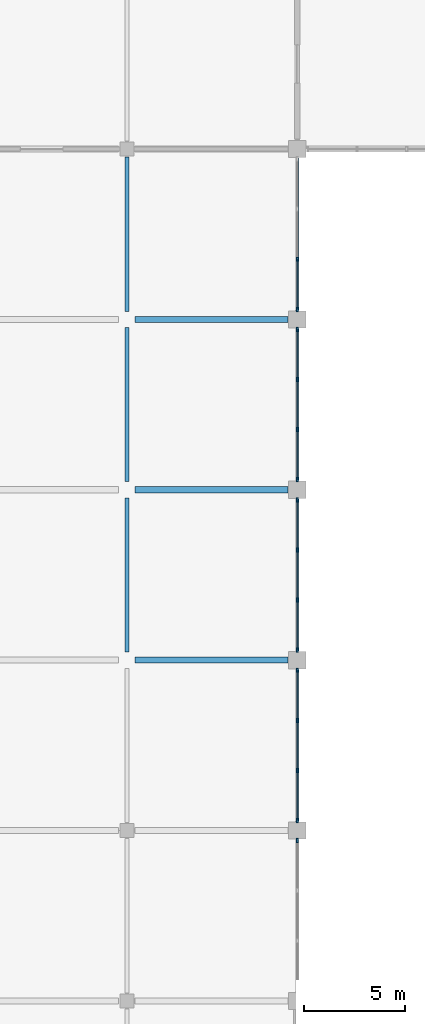
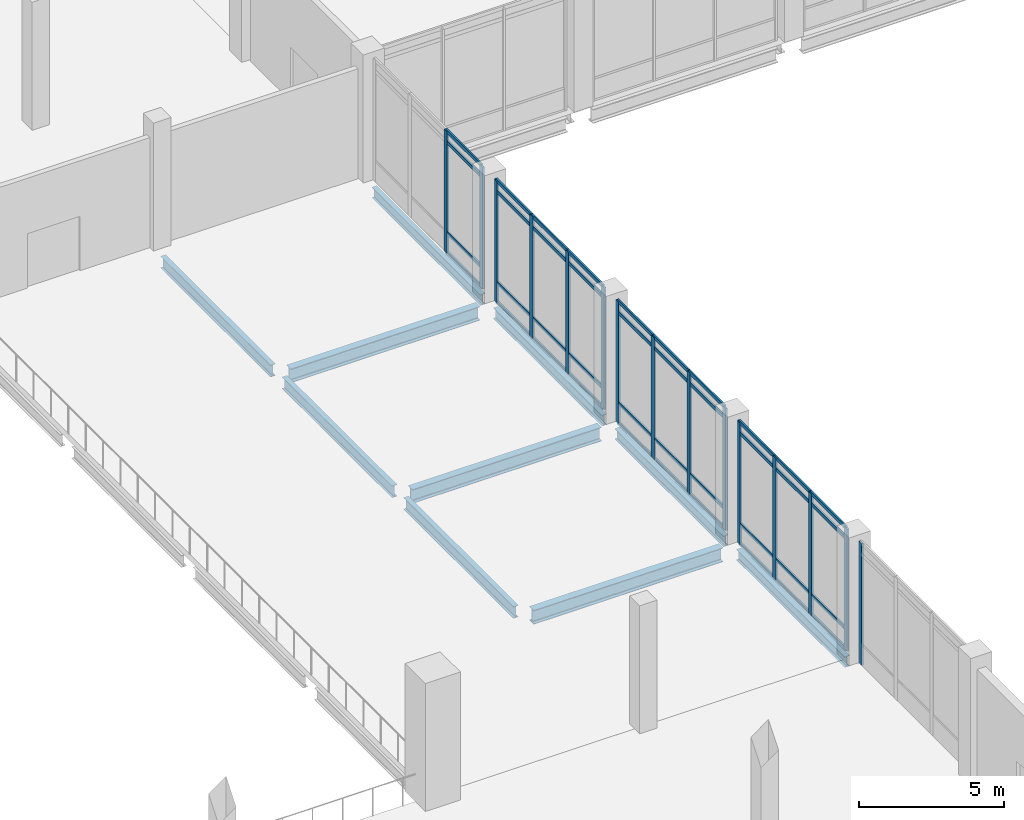
# One storey, part 14 of 72: 55 members, 10 beams, 5 elements without a shape of their own.
"""IFC4 building model written with IfcOpenShell, lengths in metres."""

from ifc_helpers import new_model, si_unit, direction, frame, origin, origin_2d, place, context, subcontext, project, spatial, rectangle, i_section, extrude, material, layer, layer_set, material_profile, profile_set, type_object, element, aggregate, save


model = new_model("IFC4")

# Units and contexts
model_context = context("Model", 3, precision=1e-05, world=origin(), true_north=direction((0.0, 1.0)))
body_context = subcontext(model_context, "Body", "Model", "MODEL_VIEW")
ifc_project = project(units=[si_unit("LENGTHUNIT", "METRE"), si_unit("AREAUNIT", "SQUARE_METRE"), si_unit("VOLUMEUNIT", "CUBIC_METRE"), si_unit("PLANEANGLEUNIT", "RADIAN"), si_unit("MASSUNIT", "GRAM", prefix="KILO")], contexts=[model_context])

# Site, building, storey
site_placement = place(None, origin())
site = spatial("IfcSite", under=ifc_project, at=site_placement, CompositionType="ELEMENT")
building_placement = place(site_placement, origin())
building = spatial("IfcBuilding", under=site, at=building_placement, Name="Qawsi Khor Wholesale Market", CompositionType="ELEMENT")
storey_placement = place(building_placement, frame((0.0, 0.0, 6.0)))
storey = spatial("IfcBuildingStorey", under=building, at=storey_placement, Name="L01", CompositionType="ELEMENT", Elevation=6.0)

# Curtain wall, member
ifc_material_1 = material(Name="Aluminium Anodised Bronze", Category="aluminium")
ifc_layer = layer(ifc_material_1, 0.199951171875, Name="Aluminium Anodised Bronze")
ifc_layer_set = layer_set([ifc_layer], Name="Aluminium Anodised Bronze")
curtain_wall_type = type_object("IfcCurtainWallType", Name="Trading Hall North-Light Curtain Wall CW-03", PredefinedType="NOTDEFINED", material=ifc_layer_set)
curtain_wall_1_placement = place(storey_placement, origin())
curtain_wall_1 = element("IfcCurtainWall", 1, at=curtain_wall_1_placement, inside=storey, type_object=curtain_wall_type, Name="Curtain wall CW-CW-03-L01-073", PredefinedType="NOTDEFINED")
ifc_material_profile_1 = material_profile(ifc_material_1, rectangle(XDim=0.074951171875, YDim=0.219970703125, at=origin_2d()), Name="ALU MULLION 75x220")
ifc_profile_set_1 = profile_set([ifc_material_profile_1], Name="Aluminium Anodised Bronze")
member_type_1 = type_object("IfcMemberType", Name="Curtain Wall Mullion CW-03 ALU MULLION 75x220", PredefinedType="MULLION", material=ifc_profile_set_1)
member_1_placement = place(storey_placement, frame((75.60009765625, 58.302490234375, -0.02001953125), z_axis=(0.0, 0.0, 1.0), x_axis=(1.0, 0.0, 0.0)))
member_1 = element("IfcMember", 2, at=member_1_placement, type_object=member_type_1, Name="Mullion CW-CW-03-L01-073-M03", PredefinedType="MULLION", context=body_context, shape_type="SweptSolid", body=[
    extrude(rectangle(XDim=0.074951171875, YDim=0.219970703125, at=origin_2d()), origin(), (0.0, 0.0, 1.0), 5.14990234375),
])
aggregate(curtain_wall_1, [member_1])

# Curtain wall, members
curtain_wall_2_placement = place(storey_placement, origin())
curtain_wall_2 = element("IfcCurtainWall", 3, at=curtain_wall_2_placement, inside=storey, type_object=curtain_wall_type, Name="Curtain wall CW-CW-03-L01-078", PredefinedType="NOTDEFINED")
member_2_placement = place(storey_placement, frame((75.60009765625, 59.297607421875, -0.02001953125), z_axis=(0.0, 0.0, 1.0), x_axis=(1.0, 0.0, 0.0)))
member_2 = element("IfcMember", 4, at=member_2_placement, type_object=member_type_1, Name="Mullion CW-CW-03-L01-078-M00", PredefinedType="MULLION", context=body_context, shape_type="SweptSolid", body=[
    extrude(rectangle(XDim=0.074951171875, YDim=0.219970703125, at=origin_2d()), origin(), (0.0, 0.0, 1.0), 5.14990234375),
])
member_3_placement = place(storey_placement, frame((75.60009765625, 61.765869140625, -0.02001953125), z_axis=(0.0, 0.0, 1.0), x_axis=(1.0, 0.0, 0.0)))
member_3 = element("IfcMember", 5, at=member_3_placement, type_object=member_type_1, Name="Mullion CW-CW-03-L01-078-M01", PredefinedType="MULLION", context=body_context, shape_type="SweptSolid", body=[
    extrude(rectangle(XDim=0.074951171875, YDim=0.219970703125, at=origin_2d()), origin(), (0.0, 0.0, 1.0), 5.14990234375),
])
member_4_placement = place(storey_placement, frame((75.60009765625, 64.234130859375, -0.02001953125), z_axis=(0.0, 0.0, 1.0), x_axis=(1.0, 0.0, 0.0)))
member_4 = element("IfcMember", 6, at=member_4_placement, type_object=member_type_1, Name="Mullion CW-CW-03-L01-078-M02", PredefinedType="MULLION", context=body_context, shape_type="SweptSolid", body=[
    extrude(rectangle(XDim=0.074951171875, YDim=0.219970703125, at=origin_2d()), origin(), (0.0, 0.0, 1.0), 5.14990234375),
])
member_5_placement = place(storey_placement, frame((75.60009765625, 66.702392578125, -0.02001953125), z_axis=(0.0, 0.0, 1.0), x_axis=(1.0, 0.0, 0.0)))
member_5 = element("IfcMember", 7, at=member_5_placement, type_object=member_type_1, Name="Mullion CW-CW-03-L01-078-M03", PredefinedType="MULLION", context=body_context, shape_type="SweptSolid", body=[
    extrude(rectangle(XDim=0.074951171875, YDim=0.219970703125, at=origin_2d()), origin(), (0.0, 0.0, 1.0), 5.14990234375),
])

curtain_wall_3_placement = place(storey_placement, origin())
curtain_wall_3 = element("IfcCurtainWall", 8, at=curtain_wall_3_placement, inside=storey, type_object=curtain_wall_type, Name="Curtain wall CW-CW-03-L01-083", PredefinedType="NOTDEFINED")
member_6_placement = place(storey_placement, frame((75.60009765625, 67.697509765625, -0.02001953125), z_axis=(0.0, 0.0, 1.0), x_axis=(1.0, 0.0, 0.0)))
member_6 = element("IfcMember", 9, at=member_6_placement, type_object=member_type_1, Name="Mullion CW-CW-03-L01-083-M00", PredefinedType="MULLION", context=body_context, shape_type="SweptSolid", body=[
    extrude(rectangle(XDim=0.074951171875, YDim=0.219970703125, at=origin_2d()), origin(), (0.0, 0.0, 1.0), 5.14990234375),
])
member_7_placement = place(storey_placement, frame((75.60009765625, 70.165771484375, -0.02001953125), z_axis=(0.0, 0.0, 1.0), x_axis=(1.0, 0.0, 0.0)))
member_7 = element("IfcMember", 10, at=member_7_placement, type_object=member_type_1, Name="Mullion CW-CW-03-L01-083-M01", PredefinedType="MULLION", context=body_context, shape_type="SweptSolid", body=[
    extrude(rectangle(XDim=0.074951171875, YDim=0.219970703125, at=origin_2d()), origin(), (0.0, 0.0, 1.0), 5.14990234375),
])
member_8_placement = place(storey_placement, frame((75.60009765625, 72.63427734375, -0.02001953125), z_axis=(0.0, 0.0, 1.0), x_axis=(1.0, 0.0, 0.0)))
member_8 = element("IfcMember", 11, at=member_8_placement, type_object=member_type_1, Name="Mullion CW-CW-03-L01-083-M02", PredefinedType="MULLION", context=body_context, shape_type="SweptSolid", body=[
    extrude(rectangle(XDim=0.074951171875, YDim=0.219970703125, at=origin_2d()), origin(), (0.0, 0.0, 1.0), 5.14990234375),
])
member_9_placement = place(storey_placement, frame((75.60009765625, 75.1025390625, -0.02001953125), z_axis=(0.0, 0.0, 1.0), x_axis=(1.0, 0.0, 0.0)))
member_9 = element("IfcMember", 12, at=member_9_placement, type_object=member_type_1, Name="Mullion CW-CW-03-L01-083-M03", PredefinedType="MULLION", context=body_context, shape_type="SweptSolid", body=[
    extrude(rectangle(XDim=0.074951171875, YDim=0.219970703125, at=origin_2d()), origin(), (0.0, 0.0, 1.0), 5.14990234375),
])

curtain_wall_4_placement = place(storey_placement, origin())
curtain_wall_4 = element("IfcCurtainWall", 13, at=curtain_wall_4_placement, inside=storey, type_object=curtain_wall_type, Name="Curtain wall CW-CW-03-L01-088", PredefinedType="NOTDEFINED")
member_10_placement = place(storey_placement, frame((75.60009765625, 76.097412109375, -0.02001953125), z_axis=(0.0, 0.0, 1.0), x_axis=(1.0, 0.0, 0.0)))
member_10 = element("IfcMember", 14, at=member_10_placement, type_object=member_type_1, Name="Mullion CW-CW-03-L01-088-M00", PredefinedType="MULLION", context=body_context, shape_type="SweptSolid", body=[
    extrude(rectangle(XDim=0.074951171875, YDim=0.219970703125, at=origin_2d()), origin(), (0.0, 0.0, 1.0), 5.14990234375),
])
member_11_placement = place(storey_placement, frame((75.60009765625, 78.56591796875, -0.02001953125), z_axis=(0.0, 0.0, 1.0), x_axis=(1.0, 0.0, 0.0)))
member_11 = element("IfcMember", 15, at=member_11_placement, type_object=member_type_1, Name="Mullion CW-CW-03-L01-088-M01", PredefinedType="MULLION", context=body_context, shape_type="SweptSolid", body=[
    extrude(rectangle(XDim=0.074951171875, YDim=0.219970703125, at=origin_2d()), origin(), (0.0, 0.0, 1.0), 5.14990234375),
])
member_12_placement = place(storey_placement, frame((75.60009765625, 81.0341796875, -0.02001953125), z_axis=(0.0, 0.0, 1.0), x_axis=(1.0, 0.0, 0.0)))
member_12 = element("IfcMember", 16, at=member_12_placement, type_object=member_type_1, Name="Mullion CW-CW-03-L01-088-M02", PredefinedType="MULLION", context=body_context, shape_type="SweptSolid", body=[
    extrude(rectangle(XDim=0.074951171875, YDim=0.219970703125, at=origin_2d()), origin(), (0.0, 0.0, 1.0), 5.14990234375),
])
member_13_placement = place(storey_placement, frame((75.60009765625, 83.50244140625, -0.02001953125), z_axis=(0.0, 0.0, 1.0), x_axis=(1.0, 0.0, 0.0)))
member_13 = element("IfcMember", 17, at=member_13_placement, type_object=member_type_1, Name="Mullion CW-CW-03-L01-088-M03", PredefinedType="MULLION", context=body_context, shape_type="SweptSolid", body=[
    extrude(rectangle(XDim=0.074951171875, YDim=0.219970703125, at=origin_2d()), origin(), (0.0, 0.0, 1.0), 5.14990234375),
])

curtain_wall_5_placement = place(storey_placement, origin())
curtain_wall_5 = element("IfcCurtainWall", 18, at=curtain_wall_5_placement, inside=storey, type_object=curtain_wall_type, Name="Curtain wall CW-CW-03-L01-093", PredefinedType="NOTDEFINED")
member_14_placement = place(storey_placement, frame((75.60009765625, 84.49755859375, -0.02001953125), z_axis=(0.0, 0.0, 1.0), x_axis=(1.0, 0.0, 0.0)))
member_14 = element("IfcMember", 19, at=member_14_placement, type_object=member_type_1, Name="Mullion CW-CW-03-L01-093-M00", PredefinedType="MULLION", context=body_context, shape_type="SweptSolid", body=[
    extrude(rectangle(XDim=0.074951171875, YDim=0.219970703125, at=origin_2d()), origin(), (0.0, 0.0, 1.0), 5.14990234375),
])
member_15_placement = place(storey_placement, frame((75.60009765625, 86.9658203125, -0.02001953125), z_axis=(0.0, 0.0, 1.0), x_axis=(1.0, 0.0, 0.0)))
member_15 = element("IfcMember", 20, at=member_15_placement, type_object=member_type_1, Name="Mullion CW-CW-03-L01-093-M01", PredefinedType="MULLION", context=body_context, shape_type="SweptSolid", body=[
    extrude(rectangle(XDim=0.074951171875, YDim=0.219970703125, at=origin_2d()), origin(), (0.0, 0.0, 1.0), 5.14990234375),
])

# Member
ifc_material_profile_2 = material_profile(ifc_material_1, rectangle(XDim=0.070068359375, YDim=0.14990234375, at=origin_2d()), Name="ALU TRANSOM 70x150")
ifc_profile_set_2 = profile_set([ifc_material_profile_2], Name="Aluminium Anodised Bronze")
member_type_2 = type_object("IfcMemberType", Name="Curtain Wall Transom CW-03 ALU TRANSOM 70x150", PredefinedType="USERDEFINED", material=ifc_profile_set_2)
member_16_placement = place(storey_placement, frame((75.60009765625, 59.297607421875, 0.0), z_axis=(0.0, 1.0, 0.0), x_axis=(-1.0, 0.0, 0.0)))
member_16 = element("IfcMember", 21, at=member_16_placement, type_object=member_type_2, Name="Transom CW-CW-03-L01-078-T0_00", ObjectType="TRANSOM", PredefinedType="USERDEFINED", context=body_context, shape_type="SweptSolid", body=[
    extrude(rectangle(XDim=0.070068359375, YDim=0.14990234375, at=origin_2d()), origin(), (0.0, 0.0, 1.0), 2.46826171875),
])

member_17_placement = place(storey_placement, frame((75.60009765625, 61.765869140625, 0.0), z_axis=(0.0, 1.0, 0.0), x_axis=(-1.0, 0.0, 0.0)))
member_17 = element("IfcMember", 22, at=member_17_placement, type_object=member_type_2, Name="Transom CW-CW-03-L01-078-T0_01", ObjectType="TRANSOM", PredefinedType="USERDEFINED", context=body_context, shape_type="SweptSolid", body=[
    extrude(rectangle(XDim=0.070068359375, YDim=0.14990234375, at=origin_2d()), origin(), (0.0, 0.0, 1.0), 2.46826171875),
])

member_18_placement = place(storey_placement, frame((75.60009765625, 64.234130859375, 0.0), z_axis=(0.0, 1.0, 0.0), x_axis=(-1.0, 0.0, 0.0)))
member_18 = element("IfcMember", 23, at=member_18_placement, type_object=member_type_2, Name="Transom CW-CW-03-L01-078-T0_02", ObjectType="TRANSOM", PredefinedType="USERDEFINED", context=body_context, shape_type="SweptSolid", body=[
    extrude(rectangle(XDim=0.070068359375, YDim=0.14990234375, at=origin_2d()), origin(), (0.0, 0.0, 1.0), 2.46826171875),
])

member_19_placement = place(storey_placement, frame((75.60009765625, 59.297607421875, 0.85009765625), z_axis=(0.0, 1.0, 0.0), x_axis=(-1.0, 0.0, 0.0)))
member_19 = element("IfcMember", 24, at=member_19_placement, type_object=member_type_2, Name="Transom CW-CW-03-L01-078-T1_00", ObjectType="TRANSOM", PredefinedType="USERDEFINED", context=body_context, shape_type="SweptSolid", body=[
    extrude(rectangle(XDim=0.070068359375, YDim=0.14990234375, at=origin_2d()), origin(), (0.0, 0.0, 1.0), 2.46826171875),
])

member_20_placement = place(storey_placement, frame((75.60009765625, 61.765869140625, 0.85009765625), z_axis=(0.0, 1.0, 0.0), x_axis=(-1.0, 0.0, 0.0)))
member_20 = element("IfcMember", 25, at=member_20_placement, type_object=member_type_2, Name="Transom CW-CW-03-L01-078-T1_01", ObjectType="TRANSOM", PredefinedType="USERDEFINED", context=body_context, shape_type="SweptSolid", body=[
    extrude(rectangle(XDim=0.070068359375, YDim=0.14990234375, at=origin_2d()), origin(), (0.0, 0.0, 1.0), 2.46826171875),
])

member_21_placement = place(storey_placement, frame((75.60009765625, 64.234130859375, 0.85009765625), z_axis=(0.0, 1.0, 0.0), x_axis=(-1.0, 0.0, 0.0)))
member_21 = element("IfcMember", 26, at=member_21_placement, type_object=member_type_2, Name="Transom CW-CW-03-L01-078-T1_02", ObjectType="TRANSOM", PredefinedType="USERDEFINED", context=body_context, shape_type="SweptSolid", body=[
    extrude(rectangle(XDim=0.070068359375, YDim=0.14990234375, at=origin_2d()), origin(), (0.0, 0.0, 1.0), 2.46826171875),
])

member_22_placement = place(storey_placement, frame((75.60009765625, 59.297607421875, 4.679931640625), z_axis=(0.0, 1.0, 0.0), x_axis=(-1.0, 0.0, 0.0)))
member_22 = element("IfcMember", 27, at=member_22_placement, type_object=member_type_2, Name="Transom CW-CW-03-L01-078-T2_00", ObjectType="TRANSOM", PredefinedType="USERDEFINED", context=body_context, shape_type="SweptSolid", body=[
    extrude(rectangle(XDim=0.070068359375, YDim=0.14990234375, at=origin_2d()), origin(), (0.0, 0.0, 1.0), 2.46826171875),
])

member_23_placement = place(storey_placement, frame((75.60009765625, 61.765869140625, 4.679931640625), z_axis=(0.0, 1.0, 0.0), x_axis=(-1.0, 0.0, 0.0)))
member_23 = element("IfcMember", 28, at=member_23_placement, type_object=member_type_2, Name="Transom CW-CW-03-L01-078-T2_01", ObjectType="TRANSOM", PredefinedType="USERDEFINED", context=body_context, shape_type="SweptSolid", body=[
    extrude(rectangle(XDim=0.070068359375, YDim=0.14990234375, at=origin_2d()), origin(), (0.0, 0.0, 1.0), 2.46826171875),
])

member_24_placement = place(storey_placement, frame((75.60009765625, 64.234130859375, 4.679931640625), z_axis=(0.0, 1.0, 0.0), x_axis=(-1.0, 0.0, 0.0)))
member_24 = element("IfcMember", 29, at=member_24_placement, type_object=member_type_2, Name="Transom CW-CW-03-L01-078-T2_02", ObjectType="TRANSOM", PredefinedType="USERDEFINED", context=body_context, shape_type="SweptSolid", body=[
    extrude(rectangle(XDim=0.070068359375, YDim=0.14990234375, at=origin_2d()), origin(), (0.0, 0.0, 1.0), 2.46826171875),
])

member_25_placement = place(storey_placement, frame((75.60009765625, 59.297607421875, 5.1298828125), z_axis=(0.0, 1.0, 0.0), x_axis=(-1.0, 0.0, 0.0)))
member_25 = element("IfcMember", 30, at=member_25_placement, type_object=member_type_2, Name="Transom CW-CW-03-L01-078-T3_00", ObjectType="TRANSOM", PredefinedType="USERDEFINED", context=body_context, shape_type="SweptSolid", body=[
    extrude(rectangle(XDim=0.070068359375, YDim=0.14990234375, at=origin_2d()), origin(), (0.0, 0.0, 1.0), 2.46826171875),
])

member_26_placement = place(storey_placement, frame((75.60009765625, 61.765869140625, 5.1298828125), z_axis=(0.0, 1.0, 0.0), x_axis=(-1.0, 0.0, 0.0)))
member_26 = element("IfcMember", 31, at=member_26_placement, type_object=member_type_2, Name="Transom CW-CW-03-L01-078-T3_01", ObjectType="TRANSOM", PredefinedType="USERDEFINED", context=body_context, shape_type="SweptSolid", body=[
    extrude(rectangle(XDim=0.070068359375, YDim=0.14990234375, at=origin_2d()), origin(), (0.0, 0.0, 1.0), 2.46826171875),
])

member_27_placement = place(storey_placement, frame((75.60009765625, 64.234130859375, 5.1298828125), z_axis=(0.0, 1.0, 0.0), x_axis=(-1.0, 0.0, 0.0)))
member_27 = element("IfcMember", 32, at=member_27_placement, type_object=member_type_2, Name="Transom CW-CW-03-L01-078-T3_02", ObjectType="TRANSOM", PredefinedType="USERDEFINED", context=body_context, shape_type="SweptSolid", body=[
    extrude(rectangle(XDim=0.070068359375, YDim=0.14990234375, at=origin_2d()), origin(), (0.0, 0.0, 1.0), 2.46826171875),
])

aggregate(curtain_wall_2, [member_2, member_3, member_4, member_5, member_16, member_17, member_18, member_19, member_20, member_21, member_22, member_23, member_24, member_25, member_26, member_27])

member_28_placement = place(storey_placement, frame((75.60009765625, 67.697509765625, 0.0), z_axis=(0.0, 1.0, 0.0), x_axis=(-1.0, 0.0, 0.0)))
member_28 = element("IfcMember", 33, at=member_28_placement, type_object=member_type_2, Name="Transom CW-CW-03-L01-083-T0_00", ObjectType="TRANSOM", PredefinedType="USERDEFINED", context=body_context, shape_type="SweptSolid", body=[
    extrude(rectangle(XDim=0.070068359375, YDim=0.14990234375, at=origin_2d()), origin(), (0.0, 0.0, 1.0), 2.46826171875),
])

member_29_placement = place(storey_placement, frame((75.60009765625, 70.165771484375, 0.0), z_axis=(0.0, 1.0, 0.0), x_axis=(-1.0, 0.0, 0.0)))
member_29 = element("IfcMember", 34, at=member_29_placement, type_object=member_type_2, Name="Transom CW-CW-03-L01-083-T0_01", ObjectType="TRANSOM", PredefinedType="USERDEFINED", context=body_context, shape_type="SweptSolid", body=[
    extrude(rectangle(XDim=0.070068359375, YDim=0.14990234375, at=origin_2d()), origin(), (0.0, 0.0, 1.0), 2.468505859375),
])

member_30_placement = place(storey_placement, frame((75.60009765625, 72.63427734375, 0.0), z_axis=(0.0, 1.0, 0.0), x_axis=(-1.0, 0.0, 0.0)))
member_30 = element("IfcMember", 35, at=member_30_placement, type_object=member_type_2, Name="Transom CW-CW-03-L01-083-T0_02", ObjectType="TRANSOM", PredefinedType="USERDEFINED", context=body_context, shape_type="SweptSolid", body=[
    extrude(rectangle(XDim=0.070068359375, YDim=0.14990234375, at=origin_2d()), origin(), (0.0, 0.0, 1.0), 2.46826171875),
])

member_31_placement = place(storey_placement, frame((75.60009765625, 67.697509765625, 0.85009765625), z_axis=(0.0, 1.0, 0.0), x_axis=(-1.0, 0.0, 0.0)))
member_31 = element("IfcMember", 36, at=member_31_placement, type_object=member_type_2, Name="Transom CW-CW-03-L01-083-T1_00", ObjectType="TRANSOM", PredefinedType="USERDEFINED", context=body_context, shape_type="SweptSolid", body=[
    extrude(rectangle(XDim=0.070068359375, YDim=0.14990234375, at=origin_2d()), origin(), (0.0, 0.0, 1.0), 2.46826171875),
])

member_32_placement = place(storey_placement, frame((75.60009765625, 70.165771484375, 0.85009765625), z_axis=(0.0, 1.0, 0.0), x_axis=(-1.0, 0.0, 0.0)))
member_32 = element("IfcMember", 37, at=member_32_placement, type_object=member_type_2, Name="Transom CW-CW-03-L01-083-T1_01", ObjectType="TRANSOM", PredefinedType="USERDEFINED", context=body_context, shape_type="SweptSolid", body=[
    extrude(rectangle(XDim=0.070068359375, YDim=0.14990234375, at=origin_2d()), origin(), (0.0, 0.0, 1.0), 2.468505859375),
])

member_33_placement = place(storey_placement, frame((75.60009765625, 72.63427734375, 0.85009765625), z_axis=(0.0, 1.0, 0.0), x_axis=(-1.0, 0.0, 0.0)))
member_33 = element("IfcMember", 38, at=member_33_placement, type_object=member_type_2, Name="Transom CW-CW-03-L01-083-T1_02", ObjectType="TRANSOM", PredefinedType="USERDEFINED", context=body_context, shape_type="SweptSolid", body=[
    extrude(rectangle(XDim=0.070068359375, YDim=0.14990234375, at=origin_2d()), origin(), (0.0, 0.0, 1.0), 2.46826171875),
])

member_34_placement = place(storey_placement, frame((75.60009765625, 67.697509765625, 4.679931640625), z_axis=(0.0, 1.0, 0.0), x_axis=(-1.0, 0.0, 0.0)))
member_34 = element("IfcMember", 39, at=member_34_placement, type_object=member_type_2, Name="Transom CW-CW-03-L01-083-T2_00", ObjectType="TRANSOM", PredefinedType="USERDEFINED", context=body_context, shape_type="SweptSolid", body=[
    extrude(rectangle(XDim=0.070068359375, YDim=0.14990234375, at=origin_2d()), origin(), (0.0, 0.0, 1.0), 2.46826171875),
])

member_35_placement = place(storey_placement, frame((75.60009765625, 70.165771484375, 4.679931640625), z_axis=(0.0, 1.0, 0.0), x_axis=(-1.0, 0.0, 0.0)))
member_35 = element("IfcMember", 40, at=member_35_placement, type_object=member_type_2, Name="Transom CW-CW-03-L01-083-T2_01", ObjectType="TRANSOM", PredefinedType="USERDEFINED", context=body_context, shape_type="SweptSolid", body=[
    extrude(rectangle(XDim=0.070068359375, YDim=0.14990234375, at=origin_2d()), origin(), (0.0, 0.0, 1.0), 2.468505859375),
])

member_36_placement = place(storey_placement, frame((75.60009765625, 72.63427734375, 4.679931640625), z_axis=(0.0, 1.0, 0.0), x_axis=(-1.0, 0.0, 0.0)))
member_36 = element("IfcMember", 41, at=member_36_placement, type_object=member_type_2, Name="Transom CW-CW-03-L01-083-T2_02", ObjectType="TRANSOM", PredefinedType="USERDEFINED", context=body_context, shape_type="SweptSolid", body=[
    extrude(rectangle(XDim=0.070068359375, YDim=0.14990234375, at=origin_2d()), origin(), (0.0, 0.0, 1.0), 2.46826171875),
])

member_37_placement = place(storey_placement, frame((75.60009765625, 67.697509765625, 5.1298828125), z_axis=(0.0, 1.0, 0.0), x_axis=(-1.0, 0.0, 0.0)))
member_37 = element("IfcMember", 42, at=member_37_placement, type_object=member_type_2, Name="Transom CW-CW-03-L01-083-T3_00", ObjectType="TRANSOM", PredefinedType="USERDEFINED", context=body_context, shape_type="SweptSolid", body=[
    extrude(rectangle(XDim=0.070068359375, YDim=0.14990234375, at=origin_2d()), origin(), (0.0, 0.0, 1.0), 2.46826171875),
])

member_38_placement = place(storey_placement, frame((75.60009765625, 70.165771484375, 5.1298828125), z_axis=(0.0, 1.0, 0.0), x_axis=(-1.0, 0.0, 0.0)))
member_38 = element("IfcMember", 43, at=member_38_placement, type_object=member_type_2, Name="Transom CW-CW-03-L01-083-T3_01", ObjectType="TRANSOM", PredefinedType="USERDEFINED", context=body_context, shape_type="SweptSolid", body=[
    extrude(rectangle(XDim=0.070068359375, YDim=0.14990234375, at=origin_2d()), origin(), (0.0, 0.0, 1.0), 2.468505859375),
])

member_39_placement = place(storey_placement, frame((75.60009765625, 72.63427734375, 5.1298828125), z_axis=(0.0, 1.0, 0.0), x_axis=(-1.0, 0.0, 0.0)))
member_39 = element("IfcMember", 44, at=member_39_placement, type_object=member_type_2, Name="Transom CW-CW-03-L01-083-T3_02", ObjectType="TRANSOM", PredefinedType="USERDEFINED", context=body_context, shape_type="SweptSolid", body=[
    extrude(rectangle(XDim=0.070068359375, YDim=0.14990234375, at=origin_2d()), origin(), (0.0, 0.0, 1.0), 2.46826171875),
])

aggregate(curtain_wall_3, [member_6, member_7, member_8, member_9, member_28, member_29, member_30, member_31, member_32, member_33, member_34, member_35, member_36, member_37, member_38, member_39])

member_40_placement = place(storey_placement, frame((75.60009765625, 76.097412109375, 0.0), z_axis=(0.0, 1.0, 0.0), x_axis=(-1.0, 0.0, 0.0)))
member_40 = element("IfcMember", 45, at=member_40_placement, type_object=member_type_2, Name="Transom CW-CW-03-L01-088-T0_00", ObjectType="TRANSOM", PredefinedType="USERDEFINED", context=body_context, shape_type="SweptSolid", body=[
    extrude(rectangle(XDim=0.070068359375, YDim=0.14990234375, at=origin_2d()), origin(), (0.0, 0.0, 1.0), 2.468505859375),
])

member_41_placement = place(storey_placement, frame((75.60009765625, 78.56591796875, 0.0), z_axis=(0.0, 1.0, 0.0), x_axis=(-1.0, 0.0, 0.0)))
member_41 = element("IfcMember", 46, at=member_41_placement, type_object=member_type_2, Name="Transom CW-CW-03-L01-088-T0_01", ObjectType="TRANSOM", PredefinedType="USERDEFINED", context=body_context, shape_type="SweptSolid", body=[
    extrude(rectangle(XDim=0.070068359375, YDim=0.14990234375, at=origin_2d()), origin(), (0.0, 0.0, 1.0), 2.46826171875),
])

member_42_placement = place(storey_placement, frame((75.60009765625, 81.0341796875, 0.0), z_axis=(0.0, 1.0, 0.0), x_axis=(-1.0, 0.0, 0.0)))
member_42 = element("IfcMember", 47, at=member_42_placement, type_object=member_type_2, Name="Transom CW-CW-03-L01-088-T0_02", ObjectType="TRANSOM", PredefinedType="USERDEFINED", context=body_context, shape_type="SweptSolid", body=[
    extrude(rectangle(XDim=0.070068359375, YDim=0.14990234375, at=origin_2d()), origin(), (0.0, 0.0, 1.0), 2.46826171875),
])

member_43_placement = place(storey_placement, frame((75.60009765625, 76.097412109375, 0.85009765625), z_axis=(0.0, 1.0, 0.0), x_axis=(-1.0, 0.0, 0.0)))
member_43 = element("IfcMember", 48, at=member_43_placement, type_object=member_type_2, Name="Transom CW-CW-03-L01-088-T1_00", ObjectType="TRANSOM", PredefinedType="USERDEFINED", context=body_context, shape_type="SweptSolid", body=[
    extrude(rectangle(XDim=0.070068359375, YDim=0.14990234375, at=origin_2d()), origin(), (0.0, 0.0, 1.0), 2.468505859375),
])

member_44_placement = place(storey_placement, frame((75.60009765625, 78.56591796875, 0.85009765625), z_axis=(0.0, 1.0, 0.0), x_axis=(-1.0, 0.0, 0.0)))
member_44 = element("IfcMember", 49, at=member_44_placement, type_object=member_type_2, Name="Transom CW-CW-03-L01-088-T1_01", ObjectType="TRANSOM", PredefinedType="USERDEFINED", context=body_context, shape_type="SweptSolid", body=[
    extrude(rectangle(XDim=0.070068359375, YDim=0.14990234375, at=origin_2d()), origin(), (0.0, 0.0, 1.0), 2.46826171875),
])

member_45_placement = place(storey_placement, frame((75.60009765625, 81.0341796875, 0.85009765625), z_axis=(0.0, 1.0, 0.0), x_axis=(-1.0, 0.0, 0.0)))
member_45 = element("IfcMember", 50, at=member_45_placement, type_object=member_type_2, Name="Transom CW-CW-03-L01-088-T1_02", ObjectType="TRANSOM", PredefinedType="USERDEFINED", context=body_context, shape_type="SweptSolid", body=[
    extrude(rectangle(XDim=0.070068359375, YDim=0.14990234375, at=origin_2d()), origin(), (0.0, 0.0, 1.0), 2.46826171875),
])

member_46_placement = place(storey_placement, frame((75.60009765625, 76.097412109375, 4.679931640625), z_axis=(0.0, 1.0, 0.0), x_axis=(-1.0, 0.0, 0.0)))
member_46 = element("IfcMember", 51, at=member_46_placement, type_object=member_type_2, Name="Transom CW-CW-03-L01-088-T2_00", ObjectType="TRANSOM", PredefinedType="USERDEFINED", context=body_context, shape_type="SweptSolid", body=[
    extrude(rectangle(XDim=0.070068359375, YDim=0.14990234375, at=origin_2d()), origin(), (0.0, 0.0, 1.0), 2.468505859375),
])

member_47_placement = place(storey_placement, frame((75.60009765625, 78.56591796875, 4.679931640625), z_axis=(0.0, 1.0, 0.0), x_axis=(-1.0, 0.0, 0.0)))
member_47 = element("IfcMember", 52, at=member_47_placement, type_object=member_type_2, Name="Transom CW-CW-03-L01-088-T2_01", ObjectType="TRANSOM", PredefinedType="USERDEFINED", context=body_context, shape_type="SweptSolid", body=[
    extrude(rectangle(XDim=0.070068359375, YDim=0.14990234375, at=origin_2d()), origin(), (0.0, 0.0, 1.0), 2.46826171875),
])

member_48_placement = place(storey_placement, frame((75.60009765625, 81.0341796875, 4.679931640625), z_axis=(0.0, 1.0, 0.0), x_axis=(-1.0, 0.0, 0.0)))
member_48 = element("IfcMember", 53, at=member_48_placement, type_object=member_type_2, Name="Transom CW-CW-03-L01-088-T2_02", ObjectType="TRANSOM", PredefinedType="USERDEFINED", context=body_context, shape_type="SweptSolid", body=[
    extrude(rectangle(XDim=0.070068359375, YDim=0.14990234375, at=origin_2d()), origin(), (0.0, 0.0, 1.0), 2.46826171875),
])

member_49_placement = place(storey_placement, frame((75.60009765625, 76.097412109375, 5.1298828125), z_axis=(0.0, 1.0, 0.0), x_axis=(-1.0, 0.0, 0.0)))
member_49 = element("IfcMember", 54, at=member_49_placement, type_object=member_type_2, Name="Transom CW-CW-03-L01-088-T3_00", ObjectType="TRANSOM", PredefinedType="USERDEFINED", context=body_context, shape_type="SweptSolid", body=[
    extrude(rectangle(XDim=0.070068359375, YDim=0.14990234375, at=origin_2d()), origin(), (0.0, 0.0, 1.0), 2.468505859375),
])

member_50_placement = place(storey_placement, frame((75.60009765625, 78.56591796875, 5.1298828125), z_axis=(0.0, 1.0, 0.0), x_axis=(-1.0, 0.0, 0.0)))
member_50 = element("IfcMember", 55, at=member_50_placement, type_object=member_type_2, Name="Transom CW-CW-03-L01-088-T3_01", ObjectType="TRANSOM", PredefinedType="USERDEFINED", context=body_context, shape_type="SweptSolid", body=[
    extrude(rectangle(XDim=0.070068359375, YDim=0.14990234375, at=origin_2d()), origin(), (0.0, 0.0, 1.0), 2.46826171875),
])

member_51_placement = place(storey_placement, frame((75.60009765625, 81.0341796875, 5.1298828125), z_axis=(0.0, 1.0, 0.0), x_axis=(-1.0, 0.0, 0.0)))
member_51 = element("IfcMember", 56, at=member_51_placement, type_object=member_type_2, Name="Transom CW-CW-03-L01-088-T3_02", ObjectType="TRANSOM", PredefinedType="USERDEFINED", context=body_context, shape_type="SweptSolid", body=[
    extrude(rectangle(XDim=0.070068359375, YDim=0.14990234375, at=origin_2d()), origin(), (0.0, 0.0, 1.0), 2.46826171875),
])

aggregate(curtain_wall_4, [member_10, member_11, member_12, member_13, member_40, member_41, member_42, member_43, member_44, member_45, member_46, member_47, member_48, member_49, member_50, member_51])

member_52_placement = place(storey_placement, frame((75.60009765625, 84.49755859375, 0.0), z_axis=(0.0, 1.0, 0.0), x_axis=(-1.0, 0.0, 0.0)))
member_52 = element("IfcMember", 57, at=member_52_placement, type_object=member_type_2, Name="Transom CW-CW-03-L01-093-T0_00", ObjectType="TRANSOM", PredefinedType="USERDEFINED", context=body_context, shape_type="SweptSolid", body=[
    extrude(rectangle(XDim=0.070068359375, YDim=0.14990234375, at=origin_2d()), origin(), (0.0, 0.0, 1.0), 2.46826171875),
])

member_53_placement = place(storey_placement, frame((75.60009765625, 84.49755859375, 0.85009765625), z_axis=(0.0, 1.0, 0.0), x_axis=(-1.0, 0.0, 0.0)))
member_53 = element("IfcMember", 58, at=member_53_placement, type_object=member_type_2, Name="Transom CW-CW-03-L01-093-T1_00", ObjectType="TRANSOM", PredefinedType="USERDEFINED", context=body_context, shape_type="SweptSolid", body=[
    extrude(rectangle(XDim=0.070068359375, YDim=0.14990234375, at=origin_2d()), origin(), (0.0, 0.0, 1.0), 2.46826171875),
])

member_54_placement = place(storey_placement, frame((75.60009765625, 84.49755859375, 4.679931640625), z_axis=(0.0, 1.0, 0.0), x_axis=(-1.0, 0.0, 0.0)))
member_54 = element("IfcMember", 59, at=member_54_placement, type_object=member_type_2, Name="Transom CW-CW-03-L01-093-T2_00", ObjectType="TRANSOM", PredefinedType="USERDEFINED", context=body_context, shape_type="SweptSolid", body=[
    extrude(rectangle(XDim=0.070068359375, YDim=0.14990234375, at=origin_2d()), origin(), (0.0, 0.0, 1.0), 2.46826171875),
])

member_55_placement = place(storey_placement, frame((75.60009765625, 84.49755859375, 5.1298828125), z_axis=(0.0, 1.0, 0.0), x_axis=(-1.0, 0.0, 0.0)))
member_55 = element("IfcMember", 60, at=member_55_placement, type_object=member_type_2, Name="Transom CW-CW-03-L01-093-T3_00", ObjectType="TRANSOM", PredefinedType="USERDEFINED", context=body_context, shape_type="SweptSolid", body=[
    extrude(rectangle(XDim=0.070068359375, YDim=0.14990234375, at=origin_2d()), origin(), (0.0, 0.0, 1.0), 2.46826171875),
])

aggregate(curtain_wall_5, [member_14, member_15, member_52, member_53, member_54, member_55])

# Beams
ifc_material_2 = material(Name="Steel S355", Category="steel")
ifc_material_profile_3 = material_profile(ifc_material_2, i_section(OverallWidth=0.300048828125, OverallDepth=0.590087890625, WebThickness=0.012939453125, FlangeThickness=0.02490234375, FilletRadius=0.027099609375, at=origin_2d()), Name="HEA 600")
ifc_profile_set_3 = profile_set([ifc_material_profile_3], Name="Steel S355")
beam_type_1 = type_object("IfcBeamType", Name="Primary Girder HEA 600", PredefinedType="BEAM", material=ifc_profile_set_3)
for number, where, z_axis, x_axis, name in (
    (61, (67.60009765625, 67.199951171875, -0.56494140625), (1.0, 0.0, 0.0), (0.0, 1.0, 0.0), "BM-X-L01-08_+08"),
    (62, (67.60009765625, 75.60009765625, -0.56494140625), (1.0, 0.0, 0.0), (0.0, 1.0, 0.0), "BM-X-L01-08_+09"),
    (63, (67.60009765625, 84.0, -0.56494140625), (1.0, 0.0, 0.0), (0.0, 1.0, 0.0), "BM-X-L01-08_+10"),
):
    element("IfcBeam", number, at=place(storey_placement, frame(where, z_axis=z_axis, x_axis=x_axis)), inside=storey, type_object=beam_type_1, Name=name, PredefinedType="BEAM", context=body_context, shape_type="SweptSolid", body=[
        extrude(i_section(OverallWidth=0.300048828125, OverallDepth=0.590087890625, WebThickness=0.012939453125, FlangeThickness=0.02490234375, FilletRadius=0.027099609375, at=origin_2d()), origin(), (0.0, 0.0, 1.0), 7.5498046875),
    ])
ifc_material_profile_4 = material_profile(ifc_material_2, i_section(OverallWidth=0.18994140625, OverallDepth=0.449951171875, WebThickness=0.009521484375, FlangeThickness=0.0146484375, FilletRadius=0.02099609375, at=origin_2d()), Name="IPE 450")
ifc_profile_set_4 = profile_set([ifc_material_profile_4], Name="Steel S355")
beam_type_2 = type_object("IfcBeamType", Name="Secondary Beam IPE 450", PredefinedType="BEAM", material=ifc_profile_set_4)
for number, where, z_axis, x_axis, name in (
    (64, (75.60009765625, 59.25, -0.4951171875), (0.0, 1.0, 0.0), (-1.0, 0.0, 0.0), "BM-Y-L01-09_+07"),
    (65, (75.60009765625, 67.64990234375, -0.4951171875), (0.0, 1.0, 0.0), (-1.0, 0.0, 0.0), "BM-Y-L01-09_+08"),
    (66, (75.60009765625, 76.050048828125, -0.4951171875), (0.0, 1.0, 0.0), (-1.0, 0.0, 0.0), "BM-Y-L01-09_+09"),
    (67, (75.60009765625, 84.449951171875, -0.4951171875), (0.0, 1.0, 0.0), (-1.0, 0.0, 0.0), "BM-Y-L01-09_+10"),
):
    element("IfcBeam", number, at=place(storey_placement, frame(where, z_axis=z_axis, x_axis=x_axis)), inside=storey, type_object=beam_type_2, Name=name, PredefinedType="BEAM", context=body_context, shape_type="SweptSolid", body=[
        extrude(i_section(OverallWidth=0.18994140625, OverallDepth=0.449951171875, WebThickness=0.009521484375, FlangeThickness=0.0146484375, FilletRadius=0.02099609375, at=origin_2d()), origin(), (0.0, 0.0, 1.0), 7.5),
    ])
ifc_material_profile_5 = material_profile(ifc_material_2, i_section(OverallWidth=0.199951171875, OverallDepth=0.5, WebThickness=0.01025390625, FlangeThickness=0.01611328125, FilletRadius=0.02099609375, at=origin_2d()), Name="IPE 500")
ifc_profile_set_5 = profile_set([ifc_material_profile_5], Name="Steel S355")
beam_type_3 = type_object("IfcBeamType", Name="Secondary Beam IPE 500", PredefinedType="BEAM", material=ifc_profile_set_5)
beam_placement = place(storey_placement, frame((67.199951171875, 67.60009765625, -0.52001953125), z_axis=(0.0, 1.0, 0.0), x_axis=(-1.0, 0.0, 0.0)))
element("IfcBeam", 68, at=beam_placement, inside=storey, type_object=beam_type_3, Name="BM-Y-L01-08_+08", PredefinedType="BEAM", context=body_context, shape_type="SweptSolid", body=[
    extrude(i_section(OverallWidth=0.199951171875, OverallDepth=0.5, WebThickness=0.01025390625, FlangeThickness=0.01611328125, FilletRadius=0.02099609375, at=origin_2d()), origin(), (0.0, 0.0, 1.0), 7.599853515625),
])
for number, where, z_axis, x_axis, name in (
    (69, (67.199951171875, 76.0, -0.52001953125), (0.0, 1.0, 0.0), (-1.0, 0.0, 0.0), "BM-Y-L01-08_+09"),
    (70, (67.199951171875, 84.39990234375, -0.52001953125), (0.0, 1.0, 0.0), (-1.0, 0.0, 0.0), "BM-Y-L01-08_+10"),
):
    element("IfcBeam", number, at=place(storey_placement, frame(where, z_axis=z_axis, x_axis=x_axis)), inside=storey, type_object=beam_type_3, Name=name, PredefinedType="BEAM", context=body_context, shape_type="SweptSolid", body=[
        extrude(i_section(OverallWidth=0.199951171875, OverallDepth=0.5, WebThickness=0.01025390625, FlangeThickness=0.01611328125, FilletRadius=0.02099609375, at=origin_2d()), origin(), (0.0, 0.0, 1.0), 7.60009765625),
    ])

save(model, "model.ifc")
